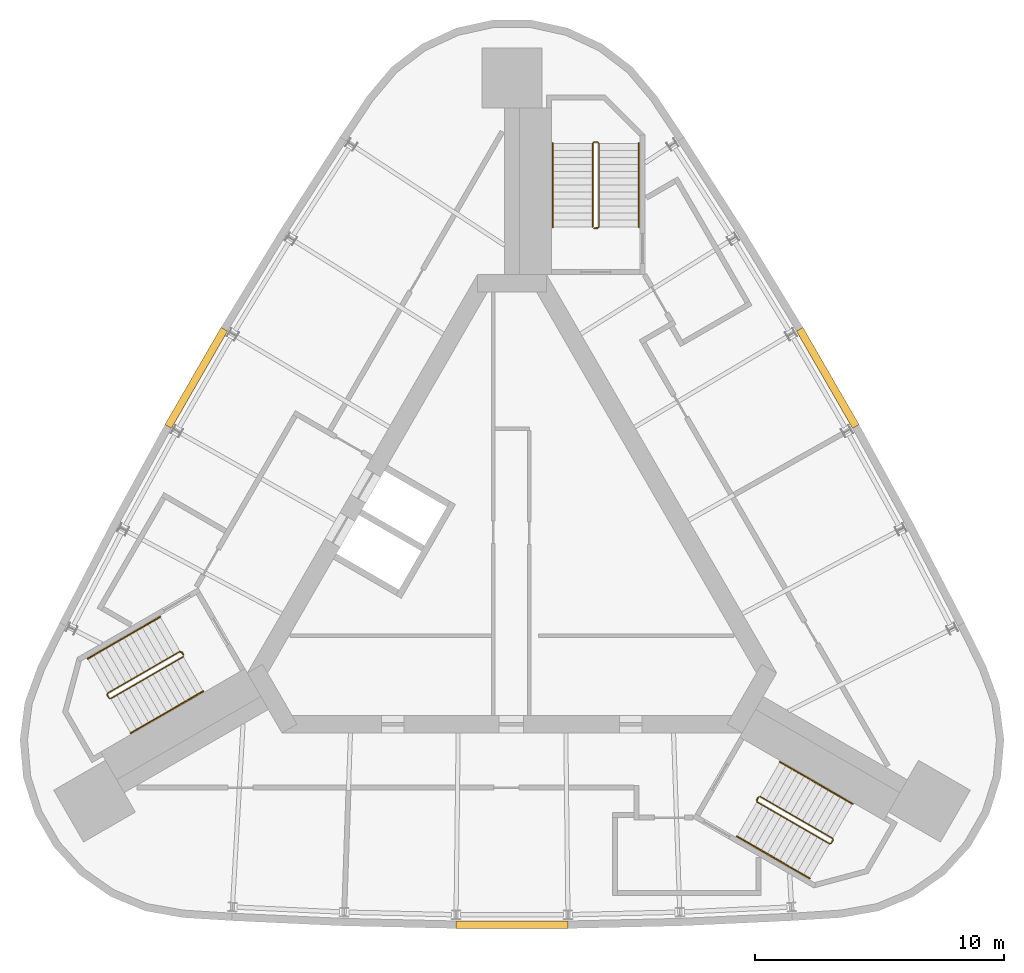
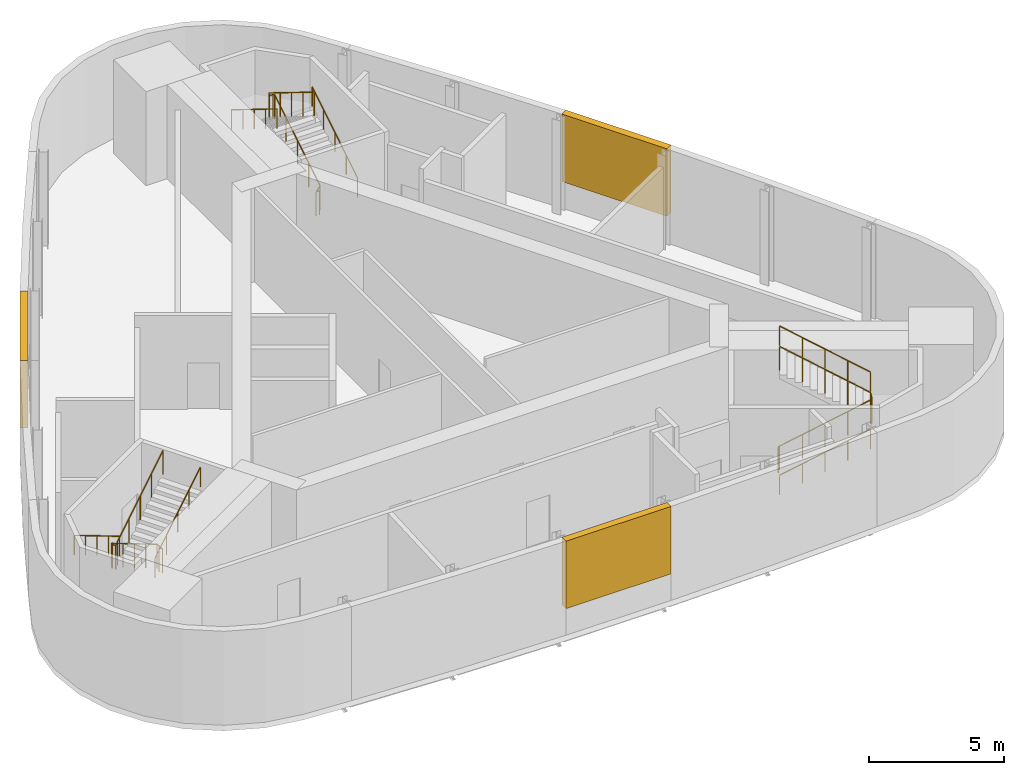
# One storey, part 7 of 7: 9 railings, 3 shading devices.
"""IFC4 building model written with IfcOpenShell, lengths in metres."""

import ifcopenshell
import ifcopenshell.guid

model = None  # the IFC model being written
_history = None  # IfcOwnerHistory: only IFC2X3 demands one
_inside = {}  # id of a spatial element -> (the spatial element, [elements in it])
_under = {}  # id of a project, library or spatial element -> (it, [spatial elements below it])
_declared = {}  # id of a project -> (the project, [libraries it declares])
_typed = {}  # id of a type object -> (the type object, [elements of that type])
_made_of = {}  # id of a material, layer set ... -> (it, [elements and type objects made of it])


def new_model(schema):
    """Start an empty IFC model of exactly this schema.

    Asked for "IFC4X3", IfcOpenShell would pick the latest addendum, in which some entities
    have other attributes; the version numbers below select the first issue.
    IFC2X3 requires an IfcOwnerHistory on every rooted entity: one is made here for all.
    """
    global model, _history
    if schema == "IFC4X3":
        model = ifcopenshell.file(schema_version=(4, 3, 0, 0))
    else:
        model = ifcopenshell.file(schema=schema)
    _inside.clear()
    _under.clear()
    _declared.clear()
    _typed.clear()
    _made_of.clear()
    _history = None
    if model.schema == "IFC2X3":
        org = make("IfcOrganization", Name="unknown")
        user = make(
            "IfcPersonAndOrganization",
            ThePerson=make("IfcPerson", FamilyName="unknown"),
            TheOrganization=org,
        )
        app = make(
            "IfcApplication",
            ApplicationDeveloper=org,
            Version="unknown",
            ApplicationFullName="unknown",
            ApplicationIdentifier="unknown",
        )
        _history = make(
            "IfcOwnerHistory",
            OwningUser=user,
            OwningApplication=app,
            ChangeAction="ADDED",
            CreationDate=0,
        )
    return model


def make(cls, **values):
    """One entity of the class cls with the attributes given. An attribute that is None is left unset."""
    return model.create_entity(
        cls, **{name: value for name, value in values.items() if value is not None}
    )


def rooted(cls, **values):
    """An entity with a GlobalId (a new one), such as an element, a storey or a relation."""
    return make(cls, GlobalId=ifcopenshell.guid.new(), OwnerHistory=_history, **values)


def si_unit(unit_type, name, prefix=None):
    """IfcSIUnit, for example si_unit("LENGTHUNIT", "METRE", prefix="MILLI")."""
    return make("IfcSIUnit", UnitType=unit_type, Prefix=prefix, Name=name)


def assignment(units):
    """IfcUnitAssignment: the units of a project."""
    return None if units is None else make("IfcUnitAssignment", Units=units)


def point(xyz):
    """IfcCartesianPoint."""
    return None if xyz is None else make("IfcCartesianPoint", Coordinates=xyz)


def direction(xyz):
    """IfcDirection."""
    return None if xyz is None else make("IfcDirection", DirectionRatios=xyz)


def frame(location, z_axis=None, x_axis=None):
    """IfcAxis2Placement3D, a coordinate frame: its origin and axes. An axis left out is left unset."""
    return make(
        "IfcAxis2Placement3D",
        Location=point(location),
        Axis=direction(z_axis),
        RefDirection=direction(x_axis),
    )


def frame_2d(location, x_axis=None):
    """IfcAxis2Placement2D, a coordinate frame in the plane: its origin and x axis."""
    return make(
        "IfcAxis2Placement2D", Location=point(location), RefDirection=direction(x_axis)
    )


def origin():
    """The frame at (0, 0, 0) with its axes left unset."""
    return frame((0.0, 0.0, 0.0))


def origin_2d():
    """The frame at (0, 0) in the plane with its x axis left unset."""
    return frame_2d((0.0, 0.0))


def place(relative_to, where):
    """IfcLocalPlacement: puts the frame where relative to a parent placement (None: the world)."""
    return make(
        "IfcLocalPlacement", PlacementRelTo=relative_to, RelativePlacement=where
    )


def context(
    kind, dimensions, precision=None, world=None, true_north=None, identifier=None
):
    """IfcGeometricRepresentationContext, for example the 3D "Model" context."""
    return make(
        "IfcGeometricRepresentationContext",
        ContextIdentifier=identifier,
        ContextType=kind,
        CoordinateSpaceDimension=dimensions,
        Precision=precision,
        WorldCoordinateSystem=world,
        TrueNorth=true_north,
    )


def subcontext(parent, identifier, kind, view, scale=None):
    """IfcGeometricRepresentationSubContext, for example "Body" below "Model"."""
    return make(
        "IfcGeometricRepresentationSubContext",
        ContextIdentifier=identifier,
        ContextType=kind,
        ParentContext=parent,
        TargetScale=scale,
        TargetView=view,
    )


def project(units=None, contexts=None):
    """IfcProject with its units and contexts."""
    return rooted(
        "IfcProject",
        Name="project",
        RepresentationContexts=contexts,
        UnitsInContext=assignment(units),
    )


def spatial(cls, under=None, at=None, **own):
    """A site, building, storey or space (cls), placed at a placement, below another one or the project."""
    s = rooted(cls, ObjectPlacement=at, **own)
    if under is not None:
        _under.setdefault(under.id(), (under, []))[1].append(s)
    return s


def polyline(points):
    """IfcPolyline through the points."""
    return make("IfcPolyline", Points=[point(p) for p in points])


def profile(cls, at=None, kind="AREA", **sizes):
    """A parametric profile (cls). Its sizes go by their IFC names, for example OverallWidth=200.0."""
    return make(cls, ProfileType=kind, Position=at, **sizes)


def circle(**sizes):
    """IfcCircleProfileDef."""
    return profile("IfcCircleProfileDef", **sizes)


def outline(outer, holes=None, kind="AREA"):
    """IfcArbitraryClosedProfileDef: a profile drawn as a closed curve; with holes, ...WithVoids."""
    if holes is None:
        return make("IfcArbitraryClosedProfileDef", ProfileType=kind, OuterCurve=outer)
    return make(
        "IfcArbitraryProfileDefWithVoids",
        ProfileType=kind,
        OuterCurve=outer,
        InnerCurves=holes,
    )


def extrude(swept, where, along, depth):
    """IfcExtrudedAreaSolid: the profile swept, set in the frame where, extruded along a direction by depth."""
    return make(
        "IfcExtrudedAreaSolid",
        SweptArea=swept,
        Position=where,
        ExtrudedDirection=direction(along),
        Depth=depth,
    )


def shape(context_of_items, identifier, shape_type, items):
    """IfcShapeRepresentation: the items that make up one representation, for example the "Body"."""
    return make(
        "IfcShapeRepresentation",
        ContextOfItems=context_of_items,
        RepresentationIdentifier=identifier,
        RepresentationType=shape_type,
        Items=items,
    )


def material(Name=None, Category=None):
    """IfcMaterial."""
    return make("IfcMaterial", Name=Name, Category=Category)


def made_of(thing, what):
    """Note that an element or type object is made of a material, layer set ...; save() writes the relation."""
    if what is not None:
        _made_of.setdefault(what.id(), (what, []))[1].append(thing)
    return thing


def type_object(cls, material=None, **own):
    """A type object (cls), such as IfcWallType, which elements share."""
    return made_of(rooted(cls, **own), material)


def element(
    cls,
    number,
    at=None,
    inside=None,
    cuts=None,
    type_object=None,
    material=None,
    context=None,
    identifier="Body",
    shape_type=None,
    held_by="IfcProductDefinitionShape",
    body=None,
    shapes=None,
    **own,
):
    """One element of the class cls, such as IfcWall. Its Tag is "e" and its number.

    at: its placement. inside: the storey or other place that contains it. cuts: it is an
    opening in that element (IfcRelVoidsElement). A single representation is given by context,
    identifier, shape_type and body (its items); several are given by shapes. held_by: the class
    of the entity that holds the representations. save() writes the other relations.
    """
    e = rooted(cls, Tag="e%d" % number, ObjectPlacement=at, **own)
    if body is not None:
        shapes = [shape(context, identifier, shape_type, body)]
    if shapes is not None:
        e.Representation = make(held_by, Representations=shapes)
    if inside is not None:
        _inside.setdefault(inside.id(), (inside, []))[1].append(e)
    if cuts is not None:
        rooted(
            "IfcRelVoidsElement", RelatingBuildingElement=cuts, RelatedOpeningElement=e
        )
    if type_object is not None:
        _typed.setdefault(type_object.id(), (type_object, []))[1].append(e)
    return made_of(e, material)


def aggregate(whole, parts):
    """IfcRelAggregates: a whole, such as a stair, and the parts it consists of."""
    return rooted("IfcRelAggregates", RelatingObject=whole, RelatedObjects=parts)


def save(model, path):
    """Write the relations noted so far, then the file.

    IfcRelAggregates (storeys below a building ...), IfcRelContainedInSpatialStructure (elements
    in a storey), IfcRelDefinesByType, IfcRelAssociatesMaterial and IfcRelDeclares: one each for
    every whole, place, type object, material and project.
    """
    for whole, parts in _under.values():
        aggregate(whole, parts)
    for where, things in _inside.values():
        rooted(
            "IfcRelContainedInSpatialStructure",
            RelatedElements=things,
            RelatingStructure=where,
        )
    for kind, things in _typed.values():
        rooted("IfcRelDefinesByType", RelatedObjects=things, RelatingType=kind)
    for what, things in _made_of.values():
        rooted("IfcRelAssociatesMaterial", RelatedObjects=things, RelatingMaterial=what)
    for by, libraries in _declared.values():
        rooted("IfcRelDeclares", RelatingContext=by, RelatedDefinitions=libraries)
    model.write(path)


model = new_model("IFC4")

# Units and contexts
model_context = context("Model", 3, precision=1e-05, world=origin(), true_north=direction((0.0, 1.0)))
body_context = subcontext(model_context, "Body", "Model", "MODEL_VIEW")
ifc_project = project(units=[si_unit("LENGTHUNIT", "METRE"), si_unit("AREAUNIT", "SQUARE_METRE"), si_unit("VOLUMEUNIT", "CUBIC_METRE"), si_unit("PLANEANGLEUNIT", "RADIAN"), si_unit("MASSUNIT", "GRAM", prefix="KILO")], contexts=[model_context])

# Site, building, storey
site_placement = place(None, origin())
site = spatial("IfcSite", under=ifc_project, at=site_placement, CompositionType="ELEMENT")
building_placement = place(site_placement, origin())
building = spatial("IfcBuilding", under=site, at=building_placement, Name="Noor Cloister Tower", CompositionType="ELEMENT")
storey_placement = place(building_placement, frame((0.0, 0.0, 297.60009765625)))
storey = spatial("IfcBuildingStorey", under=building, at=storey_placement, Name="L75", CompositionType="ELEMENT", Elevation=297.60009765625)

# Shading devices
ifc_material_1 = material(Name="Aluminium 6063-T6 anodised", Category="aluminium")
shading_device_type = type_object("IfcShadingDeviceType", Name="LOUVRE crown plant air 40 percent free", PredefinedType="USERDEFINED", material=ifc_material_1)
shading_device_1_placement = place(storey_placement, frame((0.0, 0.0, 1.199951171875)))
element("IfcShadingDevice", 1, at=shading_device_1_placement, inside=storey, type_object=shading_device_type, Name="LOUVRE L75 1", ObjectType="LOUVRE", PredefinedType="USERDEFINED", context=body_context, shape_type="SweptSolid", body=[
    extrude(outline(polyline([(-11.669189453125, 9.335205078125), (-13.919189453125, 5.438232421875), (-13.659423828125, 5.288330078125), (-11.409423828125, 9.185302734375), (-11.669189453125, 9.335205078125)])), origin(), (0.0, 0.0, 1.0), 3.050048828125),
])
shading_device_2_placement = place(storey_placement, frame((0.0, 0.0, 1.199951171875)))
element("IfcShadingDevice", 2, at=shading_device_2_placement, inside=storey, type_object=shading_device_type, Name="LOUVRE L75 2", ObjectType="LOUVRE", PredefinedType="USERDEFINED", context=body_context, shape_type="SweptSolid", body=[
    extrude(outline(polyline([(-2.25, -14.7734375), (2.25, -14.7734375), (2.25, -14.473388671875), (-2.25, -14.473388671875), (-2.25, -14.7734375)])), origin(), (0.0, 0.0, 1.0), 3.050048828125),
])
shading_device_3_placement = place(storey_placement, frame((0.0, 0.0, 1.199951171875)))
element("IfcShadingDevice", 3, at=shading_device_3_placement, inside=storey, type_object=shading_device_type, Name="LOUVRE L75 3", ObjectType="LOUVRE", PredefinedType="USERDEFINED", context=body_context, shape_type="SweptSolid", body=[
    extrude(outline(polyline([(13.919189453125, 5.438232421875), (11.669189453125, 9.335205078125), (11.409423828125, 9.185302734375), (13.659423828125, 5.288330078125), (13.919189453125, 5.438232421875)])), origin(), (0.0, 0.0, 1.0), 3.050048828125),
])

# Railings
ifc_material_2 = material(Name="Stainless steel", Category="steel")
railing_type_1 = type_object("IfcRailingType", Name="Stair guard 1100", PredefinedType="GUARDRAIL", material=ifc_material_2)
railing_1_placement = place(storey_placement, frame((3.435546875, 13.306396484375, 0.0)))
element("IfcRailing", 4, at=railing_1_placement, inside=storey, type_object=railing_type_1, Name="Stair guard ST1 L75", PredefinedType="GUARDRAIL", context=body_context, shape_type="SweptSolid", body=[
    extrude(circle(Radius=0.02392578125, at=origin_2d()), frame((0.0, 0.0, 1.076171875), z_axis=(-1.0, 0.0, 0.0), x_axis=(0.0, -1.0, 0.0)), (0.0, 0.0, 1.0), 0.14990234375),
    extrude(circle(Radius=0.02392578125, at=origin_2d()), frame((-0.14990234375, 0.0, 1.076171875), z_axis=(0.742869136974, 0.185944045274, 0.643094283413), x_axis=(-0.242814311512, 0.970072785993, 0.0)), (0.0, 0.0, 1.0), 0.26904296875),
    extrude(circle(Radius=0.02392578125, at=origin_2d()), frame((0.050048828125, 0.050048828125, 1.2490234375), z_axis=(0.0, 0.850606129759, 0.525803396734), x_axis=(-1.0, 0.0, 0.0)), (0.0, 0.0, 1.0), 3.949951171875),
    extrude(circle(Radius=0.02392578125, at=origin_2d()), frame((0.050048828125, 3.409912109375, 3.326171875), z_axis=(-0.707106781187, 0.707106781187, 0.0), x_axis=(-0.707106781187, -0.707106781187, 0.0)), (0.0, 0.0, 1.0), 0.07080078125),
    extrude(circle(Radius=0.02392578125, at=origin_2d()), frame((0.0, 3.4599609375, 3.326171875), z_axis=(-1.0, 0.0, 0.0), x_axis=(0.0, -1.0, 0.0)), (0.0, 0.0, 1.0), 0.14990234375),
    extrude(circle(Radius=0.02392578125, at=origin_2d()), frame((-0.14990234375, 3.4599609375, 3.326171875), z_axis=(-0.267629722418, -0.267629722418, 0.925607186314), x_axis=(0.707106781187, -0.707106781187, 0.0)), (0.0, 0.0, 1.0), 0.18701171875),
    extrude(circle(Radius=0.02392578125, at=origin_2d()), frame((-0.199951171875, 3.409912109375, 3.4990234375), z_axis=(0.0, -0.850606129759, 0.525803396734), x_axis=(1.0, 0.0, 0.0)), (0.0, 0.0, 1.0), 3.949951171875),
    extrude(circle(Radius=0.02099609375, at=origin_2d()), origin(), (0.0, 0.0, 1.0), 1.052001953125),
    extrude(circle(Radius=0.02099609375, at=origin_2d()), frame((-0.14990234375, 0.0, 0.0)), (0.0, 0.0, 1.0), 1.052001953125),
    extrude(circle(Radius=0.02099609375, at=origin_2d()), frame((0.050048828125, 0.050048828125, 0.173095703125)), (0.0, 0.0, 1.0), 1.052001953125),
    extrude(circle(Radius=0.02099609375, at=origin_2d()), frame((0.050048828125, 0.89013671875, 0.6923828125)), (0.0, 0.0, 1.0), 1.052001953125),
    extrude(circle(Radius=0.02099609375, at=origin_2d()), frame((0.050048828125, 1.72998046875, 1.21142578125)), (0.0, 0.0, 1.0), 1.052001953125),
    extrude(circle(Radius=0.02099609375, at=origin_2d()), frame((0.050048828125, 2.56982421875, 1.730712890625)), (0.0, 0.0, 1.0), 1.052001953125),
    extrude(circle(Radius=0.02099609375, at=origin_2d()), frame((0.050048828125, 3.409912109375, 2.25)), (0.0, 0.0, 1.0), 1.052001953125),
    extrude(circle(Radius=0.02099609375, at=origin_2d()), frame((0.0, 3.4599609375, 2.25)), (0.0, 0.0, 1.0), 1.052001953125),
    extrude(circle(Radius=0.02099609375, at=origin_2d()), frame((-0.14990234375, 3.4599609375, 2.25)), (0.0, 0.0, 1.0), 1.052001953125),
    extrude(circle(Radius=0.02099609375, at=origin_2d()), frame((-0.199951171875, 3.409912109375, 2.423095703125)), (0.0, 0.0, 1.0), 1.052001953125),
    extrude(circle(Radius=0.02099609375, at=origin_2d()), frame((-0.199951171875, 2.56982421875, 2.9423828125)), (0.0, 0.0, 1.0), 1.052001953125),
    extrude(circle(Radius=0.02099609375, at=origin_2d()), frame((-0.199951171875, 1.72998046875, 3.46142578125)), (0.0, 0.0, 1.0), 1.052001953125),
    extrude(circle(Radius=0.02099609375, at=origin_2d()), frame((-0.199951171875, 0.89013671875, 3.980712890625)), (0.0, 0.0, 1.0), 1.052001953125),
    extrude(circle(Radius=0.02099609375, at=origin_2d()), frame((-0.199951171875, 0.050048828125, 4.5)), (0.0, 0.0, 1.0), 1.052001953125),
])
railing_2_placement = place(storey_placement, frame((-13.241455078125, -3.677734375, 0.0)))
element("IfcRailing", 5, at=railing_2_placement, inside=storey, type_object=railing_type_1, Name="Stair guard ST2 L75", PredefinedType="GUARDRAIL", context=body_context, shape_type="SweptSolid", body=[
    extrude(circle(Radius=0.02392578125, at=origin_2d()), frame((0.0, 0.0, 1.076171875), z_axis=(0.499112439033, -0.866537231285, 0.0), x_axis=(0.866537231285, 0.499112439033, 0.0)), (0.0, 0.0, 1.0), 0.150146484375),
    extrude(circle(Radius=0.02392578125, at=origin_2d()), frame((0.074951171875, -0.130126953125, 1.076171875), z_axis=(-0.532384093884, 0.550523245294, 0.643032917485), x_axis=(-0.718850276695, -0.695164929852, 0.0)), (0.0, 0.0, 1.0), 0.269287109375),
    extrude(circle(Radius=0.02392578125, at=origin_2d()), frame((-0.068359375, 0.01806640625, 1.2490234375), z_axis=(-0.736667954249, -0.425288379326, 0.525785240943), x_axis=(0.499976138585, -0.866039179741, 0.0)), (0.0, 0.0, 1.0), 3.9501953125),
    extrude(circle(Radius=0.02392578125, at=origin_2d()), frame((-2.978271484375, -1.661865234375, 3.326171875), z_axis=(-0.258736085224, -0.965948051503, 0.0), x_axis=(0.965948051503, -0.258736085224, 0.0)), (0.0, 0.0, 1.0), 0.07080078125),
    extrude(circle(Radius=0.02392578125, at=origin_2d()), frame((-2.99658203125, -1.730224609375, 3.326171875), z_axis=(0.501036270542, -0.865426285481, 0.0), x_axis=(0.865426285481, 0.501036270542, 0.0)), (0.0, 0.0, 1.0), 0.150146484375),
    extrude(circle(Radius=0.02392578125, at=origin_2d()), frame((-2.92138671875, -1.860107421875, 3.326171875), z_axis=(0.364418931161, -0.097962078269, 0.926068179905), x_axis=(0.259601060869, 0.965715946433, 0.0)), (0.0, 0.0, 1.0), 0.18701171875),
    extrude(circle(Radius=0.02392578125, at=origin_2d()), frame((-2.853271484375, -1.87841796875, 3.4990234375), z_axis=(0.736648589954, 0.42533900462, 0.52577141998), x_axis=(-0.500030632641, 0.866007717299, 0.0)), (0.0, 0.0, 1.0), 3.9501953125),
    extrude(circle(Radius=0.02099609375, at=origin_2d()), origin(), (0.0, 0.0, 1.0), 1.052001953125),
    extrude(circle(Radius=0.02099609375, at=origin_2d()), frame((0.074951171875, -0.130126953125, 0.0)), (0.0, 0.0, 1.0), 1.052001953125),
    extrude(circle(Radius=0.02099609375, at=origin_2d()), frame((-0.068359375, 0.01806640625, 0.173095703125)), (0.0, 0.0, 1.0), 1.052001953125),
    extrude(circle(Radius=0.02099609375, at=origin_2d()), frame((-0.7958984375, -0.40185546875, 0.6923828125)), (0.0, 0.0, 1.0), 1.052001953125),
    extrude(circle(Radius=0.02099609375, at=origin_2d()), frame((-1.5234375, -0.82177734375, 1.21142578125)), (0.0, 0.0, 1.0), 1.052001953125),
    extrude(circle(Radius=0.02099609375, at=origin_2d()), frame((-2.250732421875, -1.241943359375, 1.730712890625)), (0.0, 0.0, 1.0), 1.052001953125),
    extrude(circle(Radius=0.02099609375, at=origin_2d()), frame((-2.978271484375, -1.661865234375, 2.25)), (0.0, 0.0, 1.0), 1.052001953125),
    extrude(circle(Radius=0.02099609375, at=origin_2d()), frame((-2.99658203125, -1.730224609375, 2.25)), (0.0, 0.0, 1.0), 1.052001953125),
    extrude(circle(Radius=0.02099609375, at=origin_2d()), frame((-2.92138671875, -1.860107421875, 2.25)), (0.0, 0.0, 1.0), 1.052001953125),
    extrude(circle(Radius=0.02099609375, at=origin_2d()), frame((-2.853271484375, -1.87841796875, 2.423095703125)), (0.0, 0.0, 1.0), 1.052001953125),
    extrude(circle(Radius=0.02099609375, at=origin_2d()), frame((-2.125732421875, -1.45849609375, 2.9423828125)), (0.0, 0.0, 1.0), 1.052001953125),
    extrude(circle(Radius=0.02099609375, at=origin_2d()), frame((-1.3984375, -1.038330078125, 3.46142578125)), (0.0, 0.0, 1.0), 1.052001953125),
    extrude(circle(Radius=0.02099609375, at=origin_2d()), frame((-0.6708984375, -0.6181640625, 3.980712890625)), (0.0, 0.0, 1.0), 1.052001953125),
    extrude(circle(Radius=0.02099609375, at=origin_2d()), frame((0.056640625, -0.1982421875, 4.5)), (0.0, 0.0, 1.0), 1.052001953125),
])
railing_3_placement = place(storey_placement, frame((9.805908203125, -9.628662109375, 0.0)))
element("IfcRailing", 6, at=railing_3_placement, inside=storey, type_object=railing_type_1, Name="Stair guard ST3 L75", PredefinedType="GUARDRAIL", context=body_context, shape_type="SweptSolid", body=[
    extrude(circle(Radius=0.02392578125, at=origin_2d()), frame((0.0, 0.0, 1.076171875), z_axis=(0.499112439033, 0.866537231285, 0.0), x_axis=(-0.866537231285, 0.499112439033, 0.0)), (0.0, 0.0, 1.0), 0.150146484375),
    extrude(circle(Radius=0.02392578125, at=origin_2d()), frame((0.074951171875, 0.130126953125, 1.076171875), z_axis=(-0.210401176497, -0.736404117741, 0.642993250589), x_axis=(0.961523947641, -0.274721127897, 0.0)), (0.0, 0.0, 1.0), 0.269287109375),
    extrude(circle(Radius=0.02392578125, at=origin_2d()), frame((0.018310546875, -0.068115234375, 1.2490234375), z_axis=(0.736648589954, -0.42533900462, 0.52577141998), x_axis=(0.500030632641, 0.866007717299, 0.0)), (0.0, 0.0, 1.0), 3.9501953125),
    extrude(circle(Radius=0.02392578125, at=origin_2d()), frame((2.92822265625, -1.748291015625, 3.326171875), z_axis=(0.965715946433, 0.259601060869, 0.0), x_axis=(-0.259601060869, 0.965715946433, 0.0)), (0.0, 0.0, 1.0), 0.070556640625),
    extrude(circle(Radius=0.02392578125, at=origin_2d()), frame((2.996337890625, -1.72998046875, 3.326171875), z_axis=(0.499816412211, 0.866131372301, 0.0), x_axis=(-0.866131372301, 0.499816412211, 0.0)), (0.0, 0.0, 1.0), 0.14990234375),
    extrude(circle(Radius=0.02392578125, at=origin_2d()), frame((3.0712890625, -1.60009765625, 3.326171875), z_axis=(-0.096622130353, 0.365597249983, 0.925744465136), x_axis=(-0.966805641264, -0.255512919477, 0.0)), (0.0, 0.0, 1.0), 0.18701171875),
    extrude(circle(Radius=0.02392578125, at=origin_2d()), frame((3.05322265625, -1.53173828125, 3.4990234375), z_axis=(-0.736667954249, 0.425288379326, 0.525785240943), x_axis=(-0.499976138585, -0.866039179741, 0.0)), (0.0, 0.0, 1.0), 3.9501953125),
    extrude(circle(Radius=0.02099609375, at=origin_2d()), origin(), (0.0, 0.0, 1.0), 1.052001953125),
    extrude(circle(Radius=0.02099609375, at=origin_2d()), frame((0.074951171875, 0.130126953125, 0.0)), (0.0, 0.0, 1.0), 1.052001953125),
    extrude(circle(Radius=0.02099609375, at=origin_2d()), frame((0.018310546875, -0.068115234375, 0.173095703125)), (0.0, 0.0, 1.0), 1.052001953125),
    extrude(circle(Radius=0.02099609375, at=origin_2d()), frame((0.745849609375, -0.48828125, 0.6923828125)), (0.0, 0.0, 1.0), 1.052001953125),
    extrude(circle(Radius=0.02099609375, at=origin_2d()), frame((1.47314453125, -0.908203125, 1.21142578125)), (0.0, 0.0, 1.0), 1.052001953125),
    extrude(circle(Radius=0.02099609375, at=origin_2d()), frame((2.20068359375, -1.328125, 1.730712890625)), (0.0, 0.0, 1.0), 1.052001953125),
    extrude(circle(Radius=0.02099609375, at=origin_2d()), frame((2.92822265625, -1.748291015625, 2.25)), (0.0, 0.0, 1.0), 1.052001953125),
    extrude(circle(Radius=0.02099609375, at=origin_2d()), frame((2.996337890625, -1.72998046875, 2.25)), (0.0, 0.0, 1.0), 1.052001953125),
    extrude(circle(Radius=0.02099609375, at=origin_2d()), frame((3.0712890625, -1.60009765625, 2.25)), (0.0, 0.0, 1.0), 1.052001953125),
    extrude(circle(Radius=0.02099609375, at=origin_2d()), frame((3.05322265625, -1.53173828125, 2.423095703125)), (0.0, 0.0, 1.0), 1.052001953125),
    extrude(circle(Radius=0.02099609375, at=origin_2d()), frame((2.32568359375, -1.11181640625, 2.9423828125)), (0.0, 0.0, 1.0), 1.052001953125),
    extrude(circle(Radius=0.02099609375, at=origin_2d()), frame((1.59814453125, -0.69189453125, 3.46142578125)), (0.0, 0.0, 1.0), 1.052001953125),
    extrude(circle(Radius=0.02099609375, at=origin_2d()), frame((0.870849609375, -0.271728515625, 3.980712890625)), (0.0, 0.0, 1.0), 1.052001953125),
    extrude(circle(Radius=0.02099609375, at=origin_2d()), frame((0.143310546875, 0.148193359375, 4.5)), (0.0, 0.0, 1.0), 1.052001953125),
])
ifc_material_3 = material(Name="Stainless steel", Category="steel")
railing_type_2 = type_object("IfcRailingType", Name="Stair handrail 900", PredefinedType="HANDRAIL", material=ifc_material_3)
railing_4_placement = place(storey_placement, frame((5.085693359375, 13.3564453125, 0.173095703125)))
element("IfcRailing", 7, at=railing_4_placement, inside=storey, type_object=railing_type_2, Name="Stair handrail ST1 L75 1", PredefinedType="HANDRAIL", context=body_context, shape_type="SweptSolid", body=[
    extrude(circle(Radius=0.02392578125, at=origin_2d()), frame((0.0, 0.0, 0.8759765625), z_axis=(0.0, 0.850606129759, 0.525803396734), x_axis=(-1.0, 0.0, 0.0)), (0.0, 0.0, 1.0), 3.949951171875),
    extrude(circle(Radius=0.02099609375, at=origin_2d()), origin(), (0.0, 0.0, 1.0), 0.851806640625),
    extrude(circle(Radius=0.02099609375, at=origin_2d()), frame((0.0, 0.83984375, 0.519287109375)), (0.0, 0.0, 1.0), 0.851806640625),
    extrude(circle(Radius=0.02099609375, at=origin_2d()), frame((0.0, 1.679931640625, 1.03857421875)), (0.0, 0.0, 1.0), 0.851806640625),
    extrude(circle(Radius=0.02099609375, at=origin_2d()), frame((0.0, 2.52001953125, 1.5576171875)), (0.0, 0.0, 1.0), 0.851806640625),
    extrude(circle(Radius=0.02099609375, at=origin_2d()), frame((0.0, 3.35986328125, 2.076904296875)), (0.0, 0.0, 1.0), 0.851806640625),
])
railing_5_placement = place(storey_placement, frame((1.6357421875, 16.71630859375, 2.423095703125)))
element("IfcRailing", 8, at=railing_5_placement, inside=storey, type_object=railing_type_2, Name="Stair handrail ST1 L75 2", PredefinedType="HANDRAIL", context=body_context, shape_type="SweptSolid", body=[
    extrude(circle(Radius=0.02392578125, at=origin_2d()), frame((0.0, 0.0, 0.8759765625), z_axis=(0.0, -0.850606129759, 0.525803396734), x_axis=(1.0, 0.0, 0.0)), (0.0, 0.0, 1.0), 3.949951171875),
    extrude(circle(Radius=0.02099609375, at=origin_2d()), origin(), (0.0, 0.0, 1.0), 0.851806640625),
    extrude(circle(Radius=0.02099609375, at=origin_2d()), frame((0.0, -0.83984375, 0.519287109375)), (0.0, 0.0, 1.0), 0.851806640625),
    extrude(circle(Radius=0.02099609375, at=origin_2d()), frame((0.0, -1.679931640625, 1.03857421875)), (0.0, 0.0, 1.0), 0.851806640625),
    extrude(circle(Radius=0.02099609375, at=origin_2d()), frame((0.0, -2.52001953125, 1.5576171875)), (0.0, 0.0, 1.0), 0.851806640625),
    extrude(circle(Radius=0.02099609375, at=origin_2d()), frame((0.0, -3.35986328125, 2.076904296875)), (0.0, 0.0, 1.0), 0.851806640625),
])
railing_6_placement = place(storey_placement, frame((-14.10986328125, -2.27392578125, 0.173095703125)))
element("IfcRailing", 9, at=railing_6_placement, inside=storey, type_object=railing_type_2, Name="Stair handrail ST2 L75 1", PredefinedType="HANDRAIL", context=body_context, shape_type="SweptSolid", body=[
    extrude(circle(Radius=0.02392578125, at=origin_2d()), frame((0.0, 0.0, 0.8759765625), z_axis=(-0.736639687092, -0.425307743487, 0.525809180911), x_axis=(0.500007602105, -0.866021014662, 0.0)), (0.0, 0.0, 1.0), 3.949951171875),
    extrude(circle(Radius=0.02099609375, at=origin_2d()), origin(), (0.0, 0.0, 1.0), 0.851806640625),
    extrude(circle(Radius=0.02099609375, at=origin_2d()), frame((-0.7275390625, -0.419921875, 0.519287109375)), (0.0, 0.0, 1.0), 0.851806640625),
    extrude(circle(Radius=0.02099609375, at=origin_2d()), frame((-1.454833984375, -0.83984375, 1.03857421875)), (0.0, 0.0, 1.0), 0.851806640625),
    extrude(circle(Radius=0.02099609375, at=origin_2d()), frame((-2.18212890625, -1.260009765625, 1.5576171875)), (0.0, 0.0, 1.0), 0.851806640625),
    extrude(circle(Radius=0.02099609375, at=origin_2d()), frame((-2.90966796875, -1.679931640625, 2.076904296875)), (0.0, 0.0, 1.0), 0.851806640625),
])
railing_7_placement = place(storey_placement, frame((-15.294677734375, -6.941650390625, 2.423095703125)))
element("IfcRailing", 10, at=railing_7_placement, inside=storey, type_object=railing_type_2, Name="Stair handrail ST2 L75 2", PredefinedType="HANDRAIL", context=body_context, shape_type="SweptSolid", body=[
    extrude(circle(Radius=0.02392578125, at=origin_2d()), frame((0.0, 0.0, 0.8759765625), z_axis=(0.736667954249, 0.425288379326, 0.525785240943), x_axis=(-0.499976138585, 0.866039179741, 0.0)), (0.0, 0.0, 1.0), 3.9501953125),
    extrude(circle(Radius=0.02099609375, at=origin_2d()), origin(), (0.0, 0.0, 1.0), 0.851806640625),
    extrude(circle(Radius=0.02099609375, at=origin_2d()), frame((0.7275390625, 0.419921875, 0.519287109375)), (0.0, 0.0, 1.0), 0.851806640625),
    extrude(circle(Radius=0.02099609375, at=origin_2d()), frame((1.455078125, 0.83984375, 1.03857421875)), (0.0, 0.0, 1.0), 0.851806640625),
    extrude(circle(Radius=0.02099609375, at=origin_2d()), frame((2.182373046875, 1.260009765625, 1.5576171875)), (0.0, 0.0, 1.0), 0.851806640625),
    extrude(circle(Radius=0.02099609375, at=origin_2d()), frame((2.909912109375, 1.679931640625, 2.076904296875)), (0.0, 0.0, 1.0), 0.851806640625),
])
railing_8_placement = place(storey_placement, frame((9.024169921875, -11.08251953125, 0.173095703125)))
element("IfcRailing", 11, at=railing_8_placement, inside=storey, type_object=railing_type_2, Name="Stair handrail ST3 L75 1", PredefinedType="HANDRAIL", context=body_context, shape_type="SweptSolid", body=[
    extrude(circle(Radius=0.02392578125, at=origin_2d()), frame((0.0, 0.0, 0.8759765625), z_axis=(0.736667954249, -0.425288379326, 0.525785240943), x_axis=(0.499976138585, 0.866039179741, 0.0)), (0.0, 0.0, 1.0), 3.9501953125),
    extrude(circle(Radius=0.02099609375, at=origin_2d()), origin(), (0.0, 0.0, 1.0), 0.851806640625),
    extrude(circle(Radius=0.02099609375, at=origin_2d()), frame((0.7275390625, -0.419921875, 0.519287109375)), (0.0, 0.0, 1.0), 0.851806640625),
    extrude(circle(Radius=0.02099609375, at=origin_2d()), frame((1.455078125, -0.83984375, 1.03857421875)), (0.0, 0.0, 1.0), 0.851806640625),
    extrude(circle(Radius=0.02099609375, at=origin_2d()), frame((2.182373046875, -1.260009765625, 1.5576171875)), (0.0, 0.0, 1.0), 0.851806640625),
    extrude(circle(Radius=0.02099609375, at=origin_2d()), frame((2.909912109375, -1.679931640625, 2.076904296875)), (0.0, 0.0, 1.0), 0.851806640625),
])
railing_9_placement = place(storey_placement, frame((13.658935546875, -9.774658203125, 2.423095703125)))
element("IfcRailing", 12, at=railing_9_placement, inside=storey, type_object=railing_type_2, Name="Stair handrail ST3 L75 2", PredefinedType="HANDRAIL", context=body_context, shape_type="SweptSolid", body=[
    extrude(circle(Radius=0.02392578125, at=origin_2d()), frame((0.0, 0.0, 0.8759765625), z_axis=(-0.736639687092, 0.425307743487, 0.525809180911), x_axis=(-0.500007602105, -0.866021014662, 0.0)), (0.0, 0.0, 1.0), 3.949951171875),
    extrude(circle(Radius=0.02099609375, at=origin_2d()), origin(), (0.0, 0.0, 1.0), 0.851806640625),
    extrude(circle(Radius=0.02099609375, at=origin_2d()), frame((-0.7275390625, 0.419921875, 0.519287109375)), (0.0, 0.0, 1.0), 0.851806640625),
    extrude(circle(Radius=0.02099609375, at=origin_2d()), frame((-1.454833984375, 0.83984375, 1.03857421875)), (0.0, 0.0, 1.0), 0.851806640625),
    extrude(circle(Radius=0.02099609375, at=origin_2d()), frame((-2.18212890625, 1.260009765625, 1.5576171875)), (0.0, 0.0, 1.0), 0.851806640625),
    extrude(circle(Radius=0.02099609375, at=origin_2d()), frame((-2.90966796875, 1.679931640625, 2.076904296875)), (0.0, 0.0, 1.0), 0.851806640625),
])

save(model, "model.ifc")
